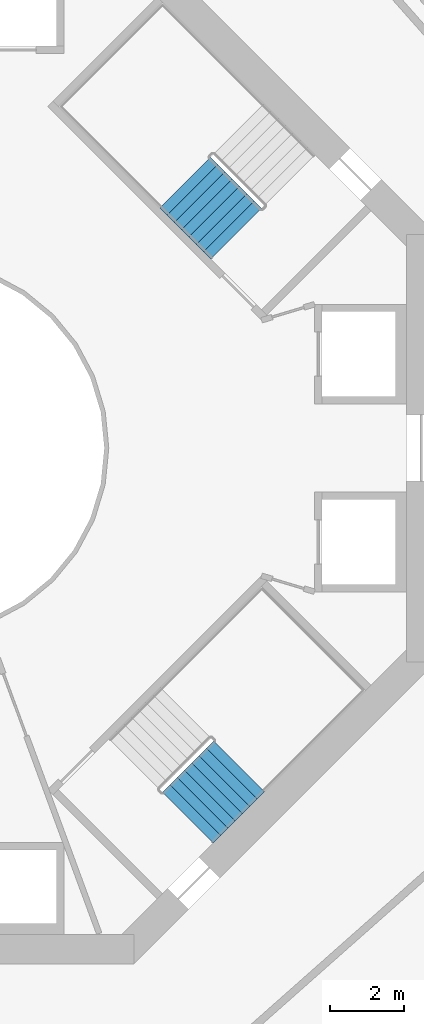
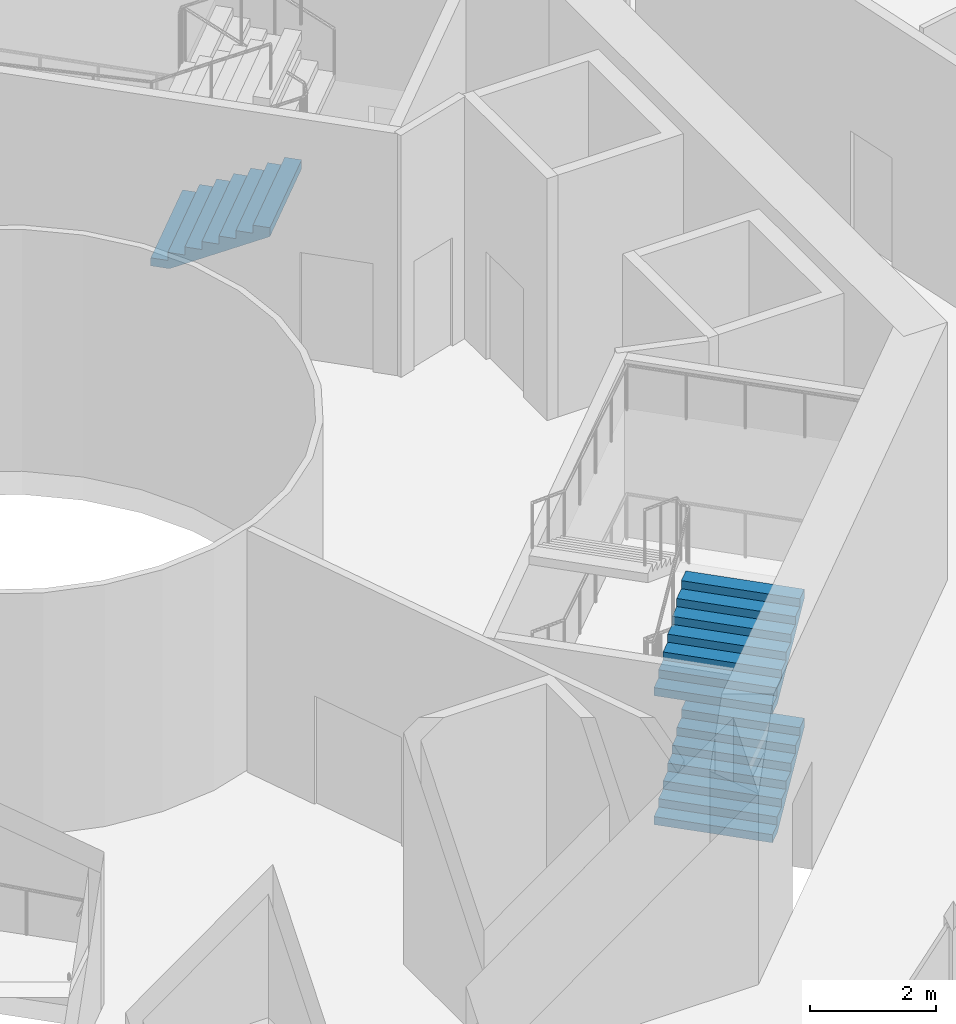
# One storey, part 17 of 20: 3 stair flights, 2 elements without a shape of their own.
"""IFC4 building model written with IfcOpenShell, lengths in metres."""

from ifc_helpers import new_model, si_unit, direction, frame, origin, place, context, subcontext, project, spatial, triangles, material, type_object, element, aggregate, save


model = new_model("IFC4")

# Units and contexts
model_context = context("Model", 3, precision=1e-05, world=origin(), true_north=direction((0.0, 1.0)))
body_context = subcontext(model_context, "Body", "Model", "MODEL_VIEW")
ifc_project = project(units=[si_unit("LENGTHUNIT", "METRE"), si_unit("AREAUNIT", "SQUARE_METRE"), si_unit("VOLUMEUNIT", "CUBIC_METRE"), si_unit("PLANEANGLEUNIT", "RADIAN"), si_unit("MASSUNIT", "GRAM", prefix="KILO")], contexts=[model_context])

# Site, building, storey
site_placement = place(None, origin())
site = spatial("IfcSite", under=ifc_project, at=site_placement, CompositionType="ELEMENT")
building_placement = place(site_placement, origin())
building = spatial("IfcBuilding", under=site, at=building_placement, Name="Verdalira Terraces Hotel", CompositionType="ELEMENT")
storey_placement = place(building_placement, frame((0.0, 0.0, 81.0)))
storey = spatial("IfcBuildingStorey", under=building, at=storey_placement, Name="L18", CompositionType="ELEMENT", Elevation=81.0)

# Stair, stair flight
ifc_material_1 = material(Name="Concrete C40", Category="concrete")
stair_type = type_object("IfcStairType", Name="Core stair 32 risers 1950 mm wide", PredefinedType="HALF_TURN_STAIR", material=ifc_material_1)
stair_1_placement = place(storey_placement, origin())
stair_1 = element("IfcStair", 1, at=stair_1_placement, inside=storey, type_object=stair_type, Name="L18 Exit stair ST1", PredefinedType="HALF_TURN_STAIR")
ifc_material_2 = material(Name="Concrete C40", Category="concrete")
stair_flight_type = type_object("IfcStairFlightType", Name="Core stair flight 32 risers 1950 mm wide", PredefinedType="STRAIGHT", material=ifc_material_2)
stair_flight_1_placement = place(storey_placement, frame((7.187744, 7.201904, 1.25), z_axis=(0.0, 0.0, 1.0), x_axis=(0.707106781, -0.707106781, 0.0)))
stair_flight_1 = element("IfcStairFlight", 2, at=stair_flight_1_placement, type_object=stair_flight_type, Name="ST1 flight 2", NumberOfRisers=8, NumberOfTreads=7, PredefinedType="STRAIGHT", RiserHeight=0.15625, TreadLength=0.28, context=body_context, shape_type="Tessellation", body=[
    triangles([(0.0, 0.974976, 0.0), (0.307617, 0.974976, 0.0), (1.959961, 0.974976, 0.922119), (0.0, -0.974976, 0.0), (0.307617, -0.974976, 0.0), (1.959961, -0.974976, 0.922119), (1.959961, 0.974976, 1.09375), (1.679932, 0.974976, 1.09375), (1.959961, -0.974976, 1.09375), (1.679932, -0.974976, 1.09375), (1.679932, 0.974976, 0.9375), (1.679932, -0.974976, 0.9375), (1.399902, 0.974976, 0.9375), (1.399902, -0.974976, 0.9375), (1.399902, 0.974976, 0.78125), (1.399902, -0.974976, 0.78125), (1.120117, 0.974976, 0.78125), (1.120117, 0.974976, 0.625), (1.120117, -0.974976, 0.78125), (1.120117, -0.974976, 0.625), (0.840088, 0.974976, 0.625), (0.840088, 0.974976, 0.46875), (0.840088, -0.974976, 0.625), (0.840088, -0.974976, 0.46875), (0.560059, 0.974976, 0.46875), (0.560059, 0.974976, 0.3125), (0.560059, -0.974976, 0.46875), (0.560059, -0.974976, 0.3125), (0.280029, 0.974976, 0.3125), (0.280029, 0.974976, 0.15625), (0.280029, -0.974976, 0.3125), (0.280029, -0.974976, 0.15625), (0.0, 0.974976, 0.15625), (0.0, -0.974976, 0.15625), (0.0, -0.91404, 0.0), (0.0, -0.91404, 0.15625), (0.0, -0.853104, 0.0), (0.0, -0.853104, 0.15625), (0.0, -0.792168, 0.0), (0.0, -0.792168, 0.15625), (0.0, -0.731232, 0.0), (0.0, -0.731232, 0.15625), (0.0, -0.670296, 0.0), (0.0, -0.670296, 0.15625), (0.0, -0.60936, 0.0), (0.0, -0.60936, 0.15625), (0.0, -0.548424, 0.0), (0.0, -0.548424, 0.15625), (0.0, -0.487488, 0.0), (0.0, -0.487488, 0.15625), (0.0, -0.426552, 0.0), (0.0, -0.426552, 0.15625), (0.0, -0.365616, 0.0), (0.0, -0.365616, 0.15625), (0.0, -0.30468, 0.0), (0.0, -0.30468, 0.15625), (0.0, -0.243744, 0.0), (0.0, -0.243744, 0.15625), (0.0, -0.182808, 0.0), (0.0, -0.182808, 0.15625), (0.0, -0.121872, 0.0), (0.0, -0.121872, 0.15625), (0.0, -0.060936, 0.0), (0.0, -0.060936, 0.15625), (0.0, 0.0, 0.0), (0.0, 0.0, 0.15625), (0.0, 0.060936, 0.0), (0.0, 0.060936, 0.15625), (0.0, 0.121872, 0.0), (0.0, 0.121872, 0.15625), (0.0, 0.182808, 0.0), (0.0, 0.182808, 0.15625), (0.0, 0.243744, 0.0), (0.0, 0.243744, 0.15625), (0.0, 0.30468, 0.0), (0.0, 0.30468, 0.15625), (0.0, 0.365616, 0.0), (0.0, 0.365616, 0.15625), (0.0, 0.426552, 0.0), (0.0, 0.426552, 0.15625), (0.0, 0.487488, 0.0), (0.0, 0.487488, 0.15625), (0.0, 0.548424, 0.0), (0.0, 0.548424, 0.15625), (0.0, 0.60936, 0.0), (0.0, 0.60936, 0.15625), (0.0, 0.670296, 0.0), (0.0, 0.670296, 0.15625), (0.0, 0.731232, 0.0), (0.0, 0.731232, 0.15625), (0.0, 0.792168, 0.0), (0.0, 0.792168, 0.15625), (0.0, 0.853104, 0.0), (0.0, 0.853104, 0.15625), (0.0, 0.91404, 0.0), (0.0, 0.91404, 0.15625), (1.959961, -0.91404, 1.09375), (1.959961, -0.853104, 1.09375), (1.959961, -0.792168, 1.09375), (1.959961, -0.731232, 1.09375), (1.959961, -0.670296, 1.09375), (1.959961, -0.60936, 1.09375), (1.959961, -0.548424, 1.09375), (1.959961, -0.487488, 1.09375), (1.959961, -0.426552, 1.09375), (1.959961, -0.365616, 1.09375), (1.959961, -0.30468, 1.09375), (1.959961, -0.243744, 1.09375), (1.959961, -0.182808, 1.09375), (1.959961, -0.121872, 1.09375), (1.959961, -0.060936, 1.09375), (1.959961, 0.0, 1.09375), (1.959961, 0.060936, 1.09375), (1.959961, 0.121872, 1.09375), (1.959961, 0.182808, 1.09375), (1.959961, 0.243744, 1.09375), (1.959961, 0.30468, 1.09375), (1.959961, 0.365616, 1.09375), (1.959961, 0.426552, 1.09375), (1.959961, 0.487488, 1.09375), (1.959961, 0.548424, 1.09375), (1.959961, 0.60936, 1.09375), (1.959961, 0.670296, 1.09375), (1.959961, 0.731232, 1.09375), (1.959961, 0.792168, 1.09375), (1.959961, 0.853104, 1.09375), (1.959961, 0.91404, 1.09375), (1.959961, -0.91404, 0.922119), (1.959961, -0.853104, 0.922119), (1.959961, -0.792168, 0.922119), (1.959961, -0.731232, 0.922119), (1.959961, -0.670296, 0.922119), (1.959961, -0.60936, 0.922119), (1.959961, -0.548424, 0.922119), (1.959961, -0.487488, 0.922119), (1.959961, -0.426552, 0.922119), (1.959961, -0.365616, 0.922119), (1.959961, -0.30468, 0.922119), (1.959961, -0.243744, 0.922119), (1.959961, -0.182808, 0.922119), (1.959961, -0.121872, 0.922119), (1.959961, -0.060936, 0.922119), (1.959961, 0.0, 0.922119), (1.959961, 0.060936, 0.922119), (1.959961, 0.121872, 0.922119), (1.959961, 0.182808, 0.922119), (1.959961, 0.243744, 0.922119), (1.959961, 0.30468, 0.922119), (1.959961, 0.365616, 0.922119), (1.959961, 0.426552, 0.922119), (1.959961, 0.487488, 0.922119), (1.959961, 0.548424, 0.922119), (1.959961, 0.60936, 0.922119), (1.959961, 0.670296, 0.922119), (1.959961, 0.731232, 0.922119), (1.959961, 0.792168, 0.922119), (1.959961, 0.853104, 0.922119), (1.959961, 0.91404, 0.922119)], [[1, 3, 2], [4, 5, 6], [3, 8, 7], [6, 9, 10], [3, 11, 8], [6, 10, 12], [3, 13, 11], [6, 12, 14], [3, 15, 13], [6, 14, 16], [15, 18, 17], [16, 19, 20], [3, 18, 15], [6, 16, 20], [18, 22, 21], [20, 23, 24], [3, 22, 18], [6, 20, 24], [22, 26, 25], [24, 27, 28], [3, 26, 22], [6, 24, 28], [26, 30, 29], [28, 31, 32], [3, 30, 26], [6, 28, 32], [1, 30, 3], [4, 6, 32], [30, 1, 33], [32, 34, 4], [4, 36, 35], [4, 34, 36], [35, 38, 37], [35, 36, 38], [37, 40, 39], [37, 38, 40], [39, 42, 41], [39, 40, 42], [41, 44, 43], [41, 42, 44], [43, 46, 45], [43, 44, 46], [45, 48, 47], [45, 46, 48], [47, 50, 49], [47, 48, 50], [49, 52, 51], [49, 50, 52], [51, 54, 53], [51, 52, 54], [53, 56, 55], [53, 54, 56], [55, 58, 57], [55, 56, 58], [57, 60, 59], [57, 58, 60], [59, 62, 61], [59, 60, 62], [61, 64, 63], [61, 62, 64], [63, 66, 65], [63, 64, 66], [65, 68, 67], [65, 66, 68], [67, 70, 69], [67, 68, 70], [69, 72, 71], [69, 70, 72], [71, 74, 73], [71, 72, 74], [73, 76, 75], [73, 74, 76], [75, 78, 77], [75, 76, 78], [77, 80, 79], [77, 78, 80], [79, 82, 81], [79, 80, 82], [81, 84, 83], [81, 82, 84], [83, 86, 85], [83, 84, 86], [85, 88, 87], [85, 86, 88], [87, 90, 89], [87, 88, 90], [89, 92, 91], [89, 90, 92], [91, 94, 93], [91, 92, 94], [93, 96, 95], [93, 94, 96], [95, 33, 1], [95, 96, 33], [34, 32, 36], [36, 32, 38], [38, 32, 40], [40, 32, 42], [42, 32, 44], [44, 32, 46], [46, 32, 48], [48, 32, 50], [50, 32, 52], [52, 32, 54], [54, 32, 56], [56, 32, 58], [58, 32, 60], [60, 32, 62], [62, 32, 64], [64, 32, 66], [66, 32, 68], [68, 32, 70], [70, 32, 72], [72, 32, 74], [74, 32, 76], [76, 32, 78], [78, 32, 80], [80, 32, 82], [82, 32, 84], [84, 32, 86], [86, 32, 88], [88, 32, 90], [90, 32, 92], [92, 32, 94], [94, 32, 96], [96, 32, 33], [33, 32, 30], [32, 29, 30], [32, 31, 29], [31, 26, 29], [31, 28, 26], [28, 25, 26], [28, 27, 25], [27, 22, 25], [27, 24, 22], [24, 21, 22], [24, 23, 21], [23, 18, 21], [23, 20, 18], [20, 17, 18], [20, 19, 17], [19, 15, 17], [19, 16, 15], [16, 13, 15], [16, 14, 13], [14, 11, 13], [14, 12, 11], [12, 8, 11], [12, 10, 8], [9, 97, 10], [97, 98, 10], [98, 99, 10], [99, 100, 10], [100, 101, 10], [101, 102, 10], [102, 103, 10], [103, 104, 10], [104, 105, 10], [105, 106, 10], [106, 107, 10], [107, 108, 10], [108, 109, 10], [109, 110, 10], [110, 111, 10], [111, 112, 10], [112, 113, 10], [113, 114, 10], [114, 115, 10], [115, 116, 10], [116, 117, 10], [117, 118, 10], [118, 119, 10], [119, 120, 10], [120, 121, 10], [121, 122, 10], [122, 123, 10], [123, 124, 10], [124, 125, 10], [125, 126, 10], [126, 127, 10], [127, 7, 10], [7, 8, 10], [9, 128, 97], [9, 6, 128], [97, 129, 98], [97, 128, 129], [98, 130, 99], [98, 129, 130], [99, 131, 100], [99, 130, 131], [100, 132, 101], [100, 131, 132], [101, 133, 102], [101, 132, 133], [102, 134, 103], [102, 133, 134], [103, 135, 104], [103, 134, 135], [104, 136, 105], [104, 135, 136], [105, 137, 106], [105, 136, 137], [106, 138, 107], [106, 137, 138], [107, 139, 108], [107, 138, 139], [108, 140, 109], [108, 139, 140], [109, 141, 110], [109, 140, 141], [110, 142, 111], [110, 141, 142], [111, 143, 112], [111, 142, 143], [112, 144, 113], [112, 143, 144], [113, 145, 114], [113, 144, 145], [114, 146, 115], [114, 145, 146], [115, 147, 116], [115, 146, 147], [116, 148, 117], [116, 147, 148], [117, 149, 118], [117, 148, 149], [118, 150, 119], [118, 149, 150], [119, 151, 120], [119, 150, 151], [120, 152, 121], [120, 151, 152], [121, 153, 122], [121, 152, 153], [122, 154, 123], [122, 153, 154], [123, 155, 124], [123, 154, 155], [124, 156, 125], [124, 155, 156], [125, 157, 126], [125, 156, 157], [126, 158, 127], [126, 157, 158], [127, 3, 7], [127, 158, 3], [6, 5, 128], [128, 5, 129], [129, 5, 130], [130, 5, 131], [131, 5, 132], [132, 5, 133], [133, 5, 134], [134, 5, 135], [135, 5, 136], [136, 5, 137], [137, 5, 138], [138, 5, 139], [139, 5, 140], [140, 5, 141], [141, 5, 142], [142, 5, 143], [143, 5, 144], [144, 5, 145], [145, 5, 146], [146, 5, 147], [147, 5, 148], [148, 5, 149], [149, 5, 150], [150, 5, 151], [151, 5, 152], [152, 5, 153], [153, 5, 154], [154, 5, 155], [155, 5, 156], [156, 5, 157], [157, 5, 158], [158, 5, 3], [3, 5, 2], [4, 35, 5], [35, 37, 5], [37, 39, 5], [39, 41, 5], [41, 43, 5], [43, 45, 5], [45, 47, 5], [47, 49, 5], [49, 51, 5], [51, 53, 5], [53, 55, 5], [55, 57, 5], [57, 59, 5], [59, 61, 5], [61, 63, 5], [63, 65, 5], [65, 67, 5], [67, 69, 5], [69, 71, 5], [71, 73, 5], [73, 75, 5], [75, 77, 5], [77, 79, 5], [79, 81, 5], [81, 83, 5], [83, 85, 5], [85, 87, 5], [87, 89, 5], [89, 91, 5], [91, 93, 5], [93, 95, 5], [95, 1, 5], [1, 2, 5]], closed=True),
])
aggregate(stair_1, [stair_flight_1])

# Stair, stair flights
stair_2_placement = place(storey_placement, origin())
stair_2 = element("IfcStair", 3, at=stair_2_placement, inside=storey, type_object=stair_type, Name="L18 Exit stair ST3", PredefinedType="HALF_TURN_STAIR")
stair_flight_2_placement = place(storey_placement, frame((7.265625, -10.023193, 0.0), z_axis=(0.0, 0.0, 1.0), x_axis=(0.707106781, 0.707106781, 0.0)))
stair_flight_2 = element("IfcStairFlight", 4, at=stair_flight_2_placement, type_object=stair_flight_type, Name="ST3 flight 1", NumberOfRisers=8, NumberOfTreads=7, PredefinedType="STRAIGHT", RiserHeight=0.15625, TreadLength=0.28, context=body_context, shape_type="Tessellation", body=[
    triangles([(0.0, 0.974976, 0.0), (0.307617, 0.974976, 0.0), (1.959961, 0.974976, 0.922119), (0.0, -0.974976, 0.0), (0.307617, -0.974976, 0.0), (1.959961, -0.974976, 0.922119), (1.959961, 0.974976, 1.09375), (1.679932, 0.974976, 1.09375), (1.959961, -0.974976, 1.09375), (1.679932, -0.974976, 1.09375), (1.679932, 0.974976, 0.9375), (1.679932, -0.974976, 0.9375), (1.399902, 0.974976, 0.9375), (1.399902, -0.974976, 0.9375), (1.399902, 0.974976, 0.78125), (1.399902, -0.974976, 0.78125), (1.120117, 0.974976, 0.78125), (1.120117, 0.974976, 0.625), (1.120117, -0.974976, 0.78125), (1.120117, -0.974976, 0.625), (0.840088, 0.974976, 0.625), (0.840088, 0.974976, 0.46875), (0.840088, -0.974976, 0.625), (0.840088, -0.974976, 0.46875), (0.560059, 0.974976, 0.46875), (0.560059, 0.974976, 0.3125), (0.560059, -0.974976, 0.46875), (0.560059, -0.974976, 0.3125), (0.280029, 0.974976, 0.3125), (0.280029, 0.974976, 0.15625), (0.280029, -0.974976, 0.3125), (0.280029, -0.974976, 0.15625), (0.0, 0.974976, 0.15625), (0.0, -0.974976, 0.15625), (0.0, -0.91404, 0.0), (0.0, -0.91404, 0.15625), (0.0, -0.853104, 0.0), (0.0, -0.853104, 0.15625), (0.0, -0.792168, 0.0), (0.0, -0.792168, 0.15625), (0.0, -0.731232, 0.0), (0.0, -0.731232, 0.15625), (0.0, -0.670296, 0.0), (0.0, -0.670296, 0.15625), (0.0, -0.60936, 0.0), (0.0, -0.60936, 0.15625), (0.0, -0.548424, 0.0), (0.0, -0.548424, 0.15625), (0.0, -0.487488, 0.0), (0.0, -0.487488, 0.15625), (0.0, -0.426552, 0.0), (0.0, -0.426552, 0.15625), (0.0, -0.365616, 0.0), (0.0, -0.365616, 0.15625), (0.0, -0.30468, 0.0), (0.0, -0.30468, 0.15625), (0.0, -0.243744, 0.0), (0.0, -0.243744, 0.15625), (0.0, -0.182808, 0.0), (0.0, -0.182808, 0.15625), (0.0, -0.121872, 0.0), (0.0, -0.121872, 0.15625), (0.0, -0.060936, 0.0), (0.0, -0.060936, 0.15625), (0.0, 0.0, 0.0), (0.0, 0.0, 0.15625), (0.0, 0.060936, 0.0), (0.0, 0.060936, 0.15625), (0.0, 0.121872, 0.0), (0.0, 0.121872, 0.15625), (0.0, 0.182808, 0.0), (0.0, 0.182808, 0.15625), (0.0, 0.243744, 0.0), (0.0, 0.243744, 0.15625), (0.0, 0.30468, 0.0), (0.0, 0.30468, 0.15625), (0.0, 0.365616, 0.0), (0.0, 0.365616, 0.15625), (0.0, 0.426552, 0.0), (0.0, 0.426552, 0.15625), (0.0, 0.487488, 0.0), (0.0, 0.487488, 0.15625), (0.0, 0.548424, 0.0), (0.0, 0.548424, 0.15625), (0.0, 0.60936, 0.0), (0.0, 0.60936, 0.15625), (0.0, 0.670296, 0.0), (0.0, 0.670296, 0.15625), (0.0, 0.731232, 0.0), (0.0, 0.731232, 0.15625), (0.0, 0.792168, 0.0), (0.0, 0.792168, 0.15625), (0.0, 0.853104, 0.0), (0.0, 0.853104, 0.15625), (0.0, 0.91404, 0.0), (0.0, 0.91404, 0.15625), (1.959961, -0.91404, 1.09375), (1.959961, -0.853104, 1.09375), (1.959961, -0.792168, 1.09375), (1.959961, -0.731232, 1.09375), (1.959961, -0.670296, 1.09375), (1.959961, -0.60936, 1.09375), (1.959961, -0.548424, 1.09375), (1.959961, -0.487488, 1.09375), (1.959961, -0.426552, 1.09375), (1.959961, -0.365616, 1.09375), (1.959961, -0.30468, 1.09375), (1.959961, -0.243744, 1.09375), (1.959961, -0.182808, 1.09375), (1.959961, -0.121872, 1.09375), (1.959961, -0.060936, 1.09375), (1.959961, 0.0, 1.09375), (1.959961, 0.060936, 1.09375), (1.959961, 0.121872, 1.09375), (1.959961, 0.182808, 1.09375), (1.959961, 0.243744, 1.09375), (1.959961, 0.30468, 1.09375), (1.959961, 0.365616, 1.09375), (1.959961, 0.426552, 1.09375), (1.959961, 0.487488, 1.09375), (1.959961, 0.548424, 1.09375), (1.959961, 0.60936, 1.09375), (1.959961, 0.670296, 1.09375), (1.959961, 0.731232, 1.09375), (1.959961, 0.792168, 1.09375), (1.959961, 0.853104, 1.09375), (1.959961, 0.91404, 1.09375), (1.959961, -0.91404, 0.922119), (1.959961, -0.853104, 0.922119), (1.959961, -0.792168, 0.922119), (1.959961, -0.731232, 0.922119), (1.959961, -0.670296, 0.922119), (1.959961, -0.60936, 0.922119), (1.959961, -0.548424, 0.922119), (1.959961, -0.487488, 0.922119), (1.959961, -0.426552, 0.922119), (1.959961, -0.365616, 0.922119), (1.959961, -0.30468, 0.922119), (1.959961, -0.243744, 0.922119), (1.959961, -0.182808, 0.922119), (1.959961, -0.121872, 0.922119), (1.959961, -0.060936, 0.922119), (1.959961, 0.0, 0.922119), (1.959961, 0.060936, 0.922119), (1.959961, 0.121872, 0.922119), (1.959961, 0.182808, 0.922119), (1.959961, 0.243744, 0.922119), (1.959961, 0.30468, 0.922119), (1.959961, 0.365616, 0.922119), (1.959961, 0.426552, 0.922119), (1.959961, 0.487488, 0.922119), (1.959961, 0.548424, 0.922119), (1.959961, 0.60936, 0.922119), (1.959961, 0.670296, 0.922119), (1.959961, 0.731232, 0.922119), (1.959961, 0.792168, 0.922119), (1.959961, 0.853104, 0.922119), (1.959961, 0.91404, 0.922119)], [[1, 3, 2], [4, 5, 6], [3, 8, 7], [6, 9, 10], [3, 11, 8], [6, 10, 12], [3, 13, 11], [6, 12, 14], [3, 15, 13], [6, 14, 16], [15, 18, 17], [16, 19, 20], [3, 18, 15], [6, 16, 20], [18, 22, 21], [20, 23, 24], [3, 22, 18], [6, 20, 24], [22, 26, 25], [24, 27, 28], [3, 26, 22], [6, 24, 28], [26, 30, 29], [28, 31, 32], [3, 30, 26], [6, 28, 32], [1, 30, 3], [4, 6, 32], [30, 1, 33], [32, 34, 4], [4, 36, 35], [4, 34, 36], [35, 38, 37], [35, 36, 38], [37, 40, 39], [37, 38, 40], [39, 42, 41], [39, 40, 42], [41, 44, 43], [41, 42, 44], [43, 46, 45], [43, 44, 46], [45, 48, 47], [45, 46, 48], [47, 50, 49], [47, 48, 50], [49, 52, 51], [49, 50, 52], [51, 54, 53], [51, 52, 54], [53, 56, 55], [53, 54, 56], [55, 58, 57], [55, 56, 58], [57, 60, 59], [57, 58, 60], [59, 62, 61], [59, 60, 62], [61, 64, 63], [61, 62, 64], [63, 66, 65], [63, 64, 66], [65, 68, 67], [65, 66, 68], [67, 70, 69], [67, 68, 70], [69, 72, 71], [69, 70, 72], [71, 74, 73], [71, 72, 74], [73, 76, 75], [73, 74, 76], [75, 78, 77], [75, 76, 78], [77, 80, 79], [77, 78, 80], [79, 82, 81], [79, 80, 82], [81, 84, 83], [81, 82, 84], [83, 86, 85], [83, 84, 86], [85, 88, 87], [85, 86, 88], [87, 90, 89], [87, 88, 90], [89, 92, 91], [89, 90, 92], [91, 94, 93], [91, 92, 94], [93, 96, 95], [93, 94, 96], [95, 33, 1], [95, 96, 33], [34, 32, 36], [36, 32, 38], [38, 32, 40], [40, 32, 42], [42, 32, 44], [44, 32, 46], [46, 32, 48], [48, 32, 50], [50, 32, 52], [52, 32, 54], [54, 32, 56], [56, 32, 58], [58, 32, 60], [60, 32, 62], [62, 32, 64], [64, 32, 66], [66, 32, 68], [68, 32, 70], [70, 32, 72], [72, 32, 74], [74, 32, 76], [76, 32, 78], [78, 32, 80], [80, 32, 82], [82, 32, 84], [84, 32, 86], [86, 32, 88], [88, 32, 90], [90, 32, 92], [92, 32, 94], [94, 32, 96], [96, 32, 33], [33, 32, 30], [32, 29, 30], [32, 31, 29], [31, 26, 29], [31, 28, 26], [28, 25, 26], [28, 27, 25], [27, 22, 25], [27, 24, 22], [24, 21, 22], [24, 23, 21], [23, 18, 21], [23, 20, 18], [20, 17, 18], [20, 19, 17], [19, 15, 17], [19, 16, 15], [16, 13, 15], [16, 14, 13], [14, 11, 13], [14, 12, 11], [12, 8, 11], [12, 10, 8], [9, 97, 10], [97, 98, 10], [98, 99, 10], [99, 100, 10], [100, 101, 10], [101, 102, 10], [102, 103, 10], [103, 104, 10], [104, 105, 10], [105, 106, 10], [106, 107, 10], [107, 108, 10], [108, 109, 10], [109, 110, 10], [110, 111, 10], [111, 112, 10], [112, 113, 10], [113, 114, 10], [114, 115, 10], [115, 116, 10], [116, 117, 10], [117, 118, 10], [118, 119, 10], [119, 120, 10], [120, 121, 10], [121, 122, 10], [122, 123, 10], [123, 124, 10], [124, 125, 10], [125, 126, 10], [126, 127, 10], [127, 7, 10], [7, 8, 10], [9, 128, 97], [9, 6, 128], [97, 129, 98], [97, 128, 129], [98, 130, 99], [98, 129, 130], [99, 131, 100], [99, 130, 131], [100, 132, 101], [100, 131, 132], [101, 133, 102], [101, 132, 133], [102, 134, 103], [102, 133, 134], [103, 135, 104], [103, 134, 135], [104, 136, 105], [104, 135, 136], [105, 137, 106], [105, 136, 137], [106, 138, 107], [106, 137, 138], [107, 139, 108], [107, 138, 139], [108, 140, 109], [108, 139, 140], [109, 141, 110], [109, 140, 141], [110, 142, 111], [110, 141, 142], [111, 143, 112], [111, 142, 143], [112, 144, 113], [112, 143, 144], [113, 145, 114], [113, 144, 145], [114, 146, 115], [114, 145, 146], [115, 147, 116], [115, 146, 147], [116, 148, 117], [116, 147, 148], [117, 149, 118], [117, 148, 149], [118, 150, 119], [118, 149, 150], [119, 151, 120], [119, 150, 151], [120, 152, 121], [120, 151, 152], [121, 153, 122], [121, 152, 153], [122, 154, 123], [122, 153, 154], [123, 155, 124], [123, 154, 155], [124, 156, 125], [124, 155, 156], [125, 157, 126], [125, 156, 157], [126, 158, 127], [126, 157, 158], [127, 3, 7], [127, 158, 3], [6, 5, 128], [128, 5, 129], [129, 5, 130], [130, 5, 131], [131, 5, 132], [132, 5, 133], [133, 5, 134], [134, 5, 135], [135, 5, 136], [136, 5, 137], [137, 5, 138], [138, 5, 139], [139, 5, 140], [140, 5, 141], [141, 5, 142], [142, 5, 143], [143, 5, 144], [144, 5, 145], [145, 5, 146], [146, 5, 147], [147, 5, 148], [148, 5, 149], [149, 5, 150], [150, 5, 151], [151, 5, 152], [152, 5, 153], [153, 5, 154], [154, 5, 155], [155, 5, 156], [156, 5, 157], [157, 5, 158], [158, 5, 3], [3, 5, 2], [4, 35, 5], [35, 37, 5], [37, 39, 5], [39, 41, 5], [41, 43, 5], [43, 45, 5], [45, 47, 5], [47, 49, 5], [49, 51, 5], [51, 53, 5], [53, 55, 5], [55, 57, 5], [57, 59, 5], [59, 61, 5], [61, 63, 5], [63, 65, 5], [65, 67, 5], [67, 69, 5], [69, 71, 5], [71, 73, 5], [73, 75, 5], [75, 77, 5], [77, 79, 5], [79, 81, 5], [81, 83, 5], [83, 85, 5], [85, 87, 5], [87, 89, 5], [89, 91, 5], [91, 93, 5], [93, 95, 5], [95, 1, 5], [1, 2, 5]], closed=True),
])
stair_flight_3_placement = place(storey_placement, frame((7.265625, -10.023193, 2.5), z_axis=(0.0, 0.0, 1.0), x_axis=(0.707106781, 0.707106781, 0.0)))
stair_flight_3 = element("IfcStairFlight", 5, at=stair_flight_3_placement, type_object=stair_flight_type, Name="ST3 flight 3", NumberOfRisers=8, NumberOfTreads=7, PredefinedType="STRAIGHT", RiserHeight=0.15625, TreadLength=0.28, context=body_context, shape_type="Tessellation", body=[
    triangles([(0.0, 0.974976, 0.0), (0.307617, 0.974976, 0.0), (1.959961, 0.974976, 0.922119), (0.0, -0.974976, 0.0), (0.307617, -0.974976, 0.0), (1.959961, -0.974976, 0.922119), (1.959961, 0.974976, 1.09375), (1.679932, 0.974976, 1.09375), (1.959961, -0.974976, 1.09375), (1.679932, -0.974976, 1.09375), (1.679932, 0.974976, 0.9375), (1.679932, -0.974976, 0.9375), (1.399902, 0.974976, 0.9375), (1.399902, -0.974976, 0.9375), (1.399902, 0.974976, 0.78125), (1.399902, -0.974976, 0.78125), (1.120117, 0.974976, 0.78125), (1.120117, 0.974976, 0.625), (1.120117, -0.974976, 0.78125), (1.120117, -0.974976, 0.625), (0.840088, 0.974976, 0.625), (0.840088, 0.974976, 0.46875), (0.840088, -0.974976, 0.625), (0.840088, -0.974976, 0.46875), (0.560059, 0.974976, 0.46875), (0.560059, 0.974976, 0.3125), (0.560059, -0.974976, 0.46875), (0.560059, -0.974976, 0.3125), (0.280029, 0.974976, 0.3125), (0.280029, 0.974976, 0.15625), (0.280029, -0.974976, 0.3125), (0.280029, -0.974976, 0.15625), (0.0, 0.974976, 0.15625), (0.0, -0.974976, 0.15625), (0.0, -0.91404, 0.0), (0.0, -0.91404, 0.15625), (0.0, -0.853104, 0.0), (0.0, -0.853104, 0.15625), (0.0, -0.792168, 0.0), (0.0, -0.792168, 0.15625), (0.0, -0.731232, 0.0), (0.0, -0.731232, 0.15625), (0.0, -0.670296, 0.0), (0.0, -0.670296, 0.15625), (0.0, -0.60936, 0.0), (0.0, -0.60936, 0.15625), (0.0, -0.548424, 0.0), (0.0, -0.548424, 0.15625), (0.0, -0.487488, 0.0), (0.0, -0.487488, 0.15625), (0.0, -0.426552, 0.0), (0.0, -0.426552, 0.15625), (0.0, -0.365616, 0.0), (0.0, -0.365616, 0.15625), (0.0, -0.30468, 0.0), (0.0, -0.30468, 0.15625), (0.0, -0.243744, 0.0), (0.0, -0.243744, 0.15625), (0.0, -0.182808, 0.0), (0.0, -0.182808, 0.15625), (0.0, -0.121872, 0.0), (0.0, -0.121872, 0.15625), (0.0, -0.060936, 0.0), (0.0, -0.060936, 0.15625), (0.0, 0.0, 0.0), (0.0, 0.0, 0.15625), (0.0, 0.060936, 0.0), (0.0, 0.060936, 0.15625), (0.0, 0.121872, 0.0), (0.0, 0.121872, 0.15625), (0.0, 0.182808, 0.0), (0.0, 0.182808, 0.15625), (0.0, 0.243744, 0.0), (0.0, 0.243744, 0.15625), (0.0, 0.30468, 0.0), (0.0, 0.30468, 0.15625), (0.0, 0.365616, 0.0), (0.0, 0.365616, 0.15625), (0.0, 0.426552, 0.0), (0.0, 0.426552, 0.15625), (0.0, 0.487488, 0.0), (0.0, 0.487488, 0.15625), (0.0, 0.548424, 0.0), (0.0, 0.548424, 0.15625), (0.0, 0.60936, 0.0), (0.0, 0.60936, 0.15625), (0.0, 0.670296, 0.0), (0.0, 0.670296, 0.15625), (0.0, 0.731232, 0.0), (0.0, 0.731232, 0.15625), (0.0, 0.792168, 0.0), (0.0, 0.792168, 0.15625), (0.0, 0.853104, 0.0), (0.0, 0.853104, 0.15625), (0.0, 0.91404, 0.0), (0.0, 0.91404, 0.15625), (1.959961, -0.91404, 1.09375), (1.959961, -0.853104, 1.09375), (1.959961, -0.792168, 1.09375), (1.959961, -0.731232, 1.09375), (1.959961, -0.670296, 1.09375), (1.959961, -0.60936, 1.09375), (1.959961, -0.548424, 1.09375), (1.959961, -0.487488, 1.09375), (1.959961, -0.426552, 1.09375), (1.959961, -0.365616, 1.09375), (1.959961, -0.30468, 1.09375), (1.959961, -0.243744, 1.09375), (1.959961, -0.182808, 1.09375), (1.959961, -0.121872, 1.09375), (1.959961, -0.060936, 1.09375), (1.959961, 0.0, 1.09375), (1.959961, 0.060936, 1.09375), (1.959961, 0.121872, 1.09375), (1.959961, 0.182808, 1.09375), (1.959961, 0.243744, 1.09375), (1.959961, 0.30468, 1.09375), (1.959961, 0.365616, 1.09375), (1.959961, 0.426552, 1.09375), (1.959961, 0.487488, 1.09375), (1.959961, 0.548424, 1.09375), (1.959961, 0.60936, 1.09375), (1.959961, 0.670296, 1.09375), (1.959961, 0.731232, 1.09375), (1.959961, 0.792168, 1.09375), (1.959961, 0.853104, 1.09375), (1.959961, 0.91404, 1.09375), (1.959961, -0.91404, 0.922119), (1.959961, -0.853104, 0.922119), (1.959961, -0.792168, 0.922119), (1.959961, -0.731232, 0.922119), (1.959961, -0.670296, 0.922119), (1.959961, -0.60936, 0.922119), (1.959961, -0.548424, 0.922119), (1.959961, -0.487488, 0.922119), (1.959961, -0.426552, 0.922119), (1.959961, -0.365616, 0.922119), (1.959961, -0.30468, 0.922119), (1.959961, -0.243744, 0.922119), (1.959961, -0.182808, 0.922119), (1.959961, -0.121872, 0.922119), (1.959961, -0.060936, 0.922119), (1.959961, 0.0, 0.922119), (1.959961, 0.060936, 0.922119), (1.959961, 0.121872, 0.922119), (1.959961, 0.182808, 0.922119), (1.959961, 0.243744, 0.922119), (1.959961, 0.30468, 0.922119), (1.959961, 0.365616, 0.922119), (1.959961, 0.426552, 0.922119), (1.959961, 0.487488, 0.922119), (1.959961, 0.548424, 0.922119), (1.959961, 0.60936, 0.922119), (1.959961, 0.670296, 0.922119), (1.959961, 0.731232, 0.922119), (1.959961, 0.792168, 0.922119), (1.959961, 0.853104, 0.922119), (1.959961, 0.91404, 0.922119)], [[1, 3, 2], [4, 5, 6], [3, 8, 7], [6, 9, 10], [3, 11, 8], [6, 10, 12], [3, 13, 11], [6, 12, 14], [3, 15, 13], [6, 14, 16], [15, 18, 17], [16, 19, 20], [3, 18, 15], [6, 16, 20], [18, 22, 21], [20, 23, 24], [3, 22, 18], [6, 20, 24], [22, 26, 25], [24, 27, 28], [3, 26, 22], [6, 24, 28], [26, 30, 29], [28, 31, 32], [3, 30, 26], [6, 28, 32], [1, 30, 3], [4, 6, 32], [30, 1, 33], [32, 34, 4], [4, 36, 35], [4, 34, 36], [35, 38, 37], [35, 36, 38], [37, 40, 39], [37, 38, 40], [39, 42, 41], [39, 40, 42], [41, 44, 43], [41, 42, 44], [43, 46, 45], [43, 44, 46], [45, 48, 47], [45, 46, 48], [47, 50, 49], [47, 48, 50], [49, 52, 51], [49, 50, 52], [51, 54, 53], [51, 52, 54], [53, 56, 55], [53, 54, 56], [55, 58, 57], [55, 56, 58], [57, 60, 59], [57, 58, 60], [59, 62, 61], [59, 60, 62], [61, 64, 63], [61, 62, 64], [63, 66, 65], [63, 64, 66], [65, 68, 67], [65, 66, 68], [67, 70, 69], [67, 68, 70], [69, 72, 71], [69, 70, 72], [71, 74, 73], [71, 72, 74], [73, 76, 75], [73, 74, 76], [75, 78, 77], [75, 76, 78], [77, 80, 79], [77, 78, 80], [79, 82, 81], [79, 80, 82], [81, 84, 83], [81, 82, 84], [83, 86, 85], [83, 84, 86], [85, 88, 87], [85, 86, 88], [87, 90, 89], [87, 88, 90], [89, 92, 91], [89, 90, 92], [91, 94, 93], [91, 92, 94], [93, 96, 95], [93, 94, 96], [95, 33, 1], [95, 96, 33], [34, 32, 36], [36, 32, 38], [38, 32, 40], [40, 32, 42], [42, 32, 44], [44, 32, 46], [46, 32, 48], [48, 32, 50], [50, 32, 52], [52, 32, 54], [54, 32, 56], [56, 32, 58], [58, 32, 60], [60, 32, 62], [62, 32, 64], [64, 32, 66], [66, 32, 68], [68, 32, 70], [70, 32, 72], [72, 32, 74], [74, 32, 76], [76, 32, 78], [78, 32, 80], [80, 32, 82], [82, 32, 84], [84, 32, 86], [86, 32, 88], [88, 32, 90], [90, 32, 92], [92, 32, 94], [94, 32, 96], [96, 32, 33], [33, 32, 30], [32, 29, 30], [32, 31, 29], [31, 26, 29], [31, 28, 26], [28, 25, 26], [28, 27, 25], [27, 22, 25], [27, 24, 22], [24, 21, 22], [24, 23, 21], [23, 18, 21], [23, 20, 18], [20, 17, 18], [20, 19, 17], [19, 15, 17], [19, 16, 15], [16, 13, 15], [16, 14, 13], [14, 11, 13], [14, 12, 11], [12, 8, 11], [12, 10, 8], [9, 97, 10], [97, 98, 10], [98, 99, 10], [99, 100, 10], [100, 101, 10], [101, 102, 10], [102, 103, 10], [103, 104, 10], [104, 105, 10], [105, 106, 10], [106, 107, 10], [107, 108, 10], [108, 109, 10], [109, 110, 10], [110, 111, 10], [111, 112, 10], [112, 113, 10], [113, 114, 10], [114, 115, 10], [115, 116, 10], [116, 117, 10], [117, 118, 10], [118, 119, 10], [119, 120, 10], [120, 121, 10], [121, 122, 10], [122, 123, 10], [123, 124, 10], [124, 125, 10], [125, 126, 10], [126, 127, 10], [127, 7, 10], [7, 8, 10], [9, 128, 97], [9, 6, 128], [97, 129, 98], [97, 128, 129], [98, 130, 99], [98, 129, 130], [99, 131, 100], [99, 130, 131], [100, 132, 101], [100, 131, 132], [101, 133, 102], [101, 132, 133], [102, 134, 103], [102, 133, 134], [103, 135, 104], [103, 134, 135], [104, 136, 105], [104, 135, 136], [105, 137, 106], [105, 136, 137], [106, 138, 107], [106, 137, 138], [107, 139, 108], [107, 138, 139], [108, 140, 109], [108, 139, 140], [109, 141, 110], [109, 140, 141], [110, 142, 111], [110, 141, 142], [111, 143, 112], [111, 142, 143], [112, 144, 113], [112, 143, 144], [113, 145, 114], [113, 144, 145], [114, 146, 115], [114, 145, 146], [115, 147, 116], [115, 146, 147], [116, 148, 117], [116, 147, 148], [117, 149, 118], [117, 148, 149], [118, 150, 119], [118, 149, 150], [119, 151, 120], [119, 150, 151], [120, 152, 121], [120, 151, 152], [121, 153, 122], [121, 152, 153], [122, 154, 123], [122, 153, 154], [123, 155, 124], [123, 154, 155], [124, 156, 125], [124, 155, 156], [125, 157, 126], [125, 156, 157], [126, 158, 127], [126, 157, 158], [127, 3, 7], [127, 158, 3], [6, 5, 128], [128, 5, 129], [129, 5, 130], [130, 5, 131], [131, 5, 132], [132, 5, 133], [133, 5, 134], [134, 5, 135], [135, 5, 136], [136, 5, 137], [137, 5, 138], [138, 5, 139], [139, 5, 140], [140, 5, 141], [141, 5, 142], [142, 5, 143], [143, 5, 144], [144, 5, 145], [145, 5, 146], [146, 5, 147], [147, 5, 148], [148, 5, 149], [149, 5, 150], [150, 5, 151], [151, 5, 152], [152, 5, 153], [153, 5, 154], [154, 5, 155], [155, 5, 156], [156, 5, 157], [157, 5, 158], [158, 5, 3], [3, 5, 2], [4, 35, 5], [35, 37, 5], [37, 39, 5], [39, 41, 5], [41, 43, 5], [43, 45, 5], [45, 47, 5], [47, 49, 5], [49, 51, 5], [51, 53, 5], [53, 55, 5], [55, 57, 5], [57, 59, 5], [59, 61, 5], [61, 63, 5], [63, 65, 5], [65, 67, 5], [67, 69, 5], [69, 71, 5], [71, 73, 5], [73, 75, 5], [75, 77, 5], [77, 79, 5], [79, 81, 5], [81, 83, 5], [83, 85, 5], [85, 87, 5], [87, 89, 5], [89, 91, 5], [91, 93, 5], [93, 95, 5], [95, 1, 5], [1, 2, 5]], closed=True),
])
aggregate(stair_2, [stair_flight_2, stair_flight_3])

save(model, "model.ifc")
